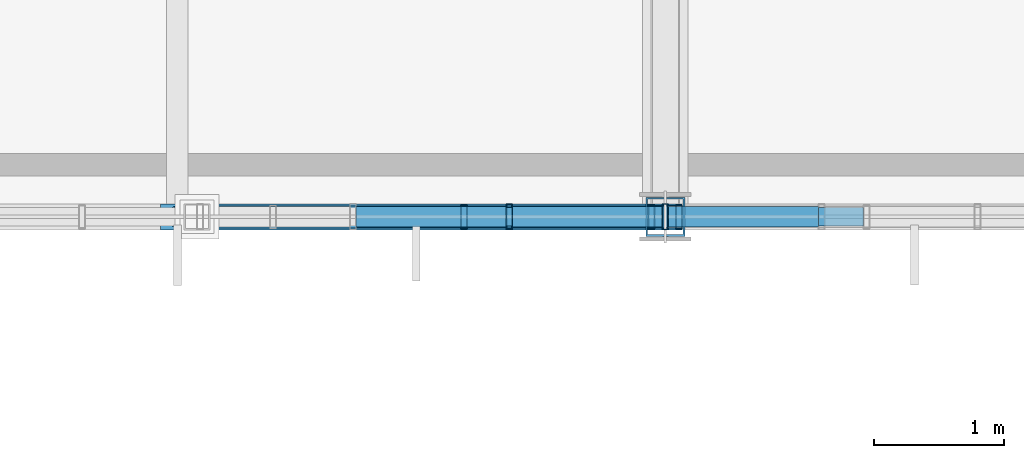
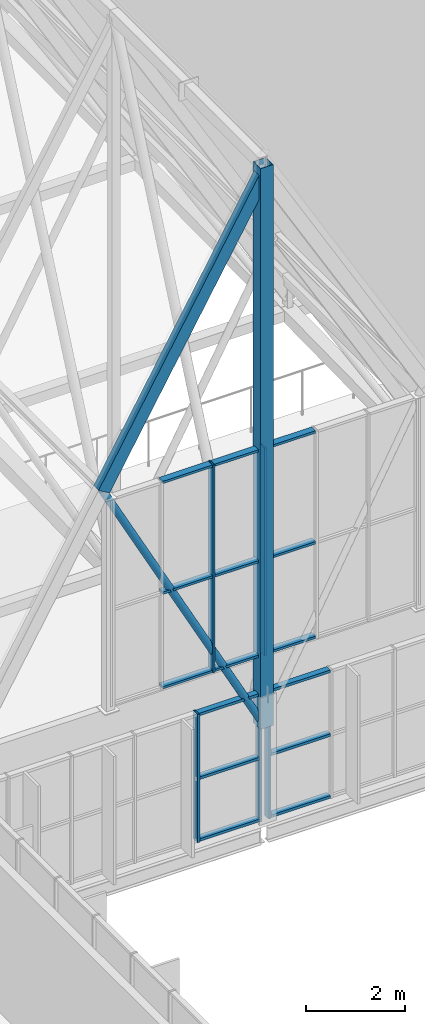
# One storey, part 98 of 324: 23 members, 3 elements without a shape of their own.
"""IFC4 building model written with IfcOpenShell, lengths in metres."""

from ifc_helpers import new_model, si_unit, direction, frame, origin, origin_2d, place, context, subcontext, project, spatial, hollow_rectangle, hollow_circle, extrude, material, layer, layer_set, material_profile, profile_set, type_object, element, aggregate, save


model = new_model("IFC4")

# Units and contexts
model_context = context("Model", 3, precision=1e-05, world=origin(), true_north=direction((0.0, 1.0)))
body_context = subcontext(model_context, "Body", "Model", "MODEL_VIEW")
ifc_project = project(units=[si_unit("LENGTHUNIT", "METRE"), si_unit("AREAUNIT", "SQUARE_METRE"), si_unit("VOLUMEUNIT", "CUBIC_METRE"), si_unit("PLANEANGLEUNIT", "RADIAN"), si_unit("MASSUNIT", "GRAM", prefix="KILO")], contexts=[model_context])

# Site, building, storey
site_placement = place(None, origin())
site = spatial("IfcSite", under=ifc_project, at=site_placement, CompositionType="ELEMENT")
building_placement = place(site_placement, origin())
building = spatial("IfcBuilding", under=site, at=building_placement, Name="Solvenia Promenade Tram Depot", CompositionType="ELEMENT")
storey_placement = place(building_placement, frame((0.0, 0.0, 4.5)))
storey = spatial("IfcBuildingStorey", under=building, at=storey_placement, Name="L01", CompositionType="ELEMENT", Elevation=4.5)

# Curtain wall, members
ifc_material_1 = material(Name="Anodized aluminium AW-6063 T6", Category="aluminium")
ifc_layer_1 = layer(ifc_material_1, 0.159912109375, Name="Anodized aluminium AW-6063 T6", Category="aluminium")
ifc_layer_set_1 = layer_set([ifc_layer_1], Name="Anodized aluminium AW-6063 T6")
curtain_wall_type_1 = type_object("IfcCurtainWallType", Name="CW-Channel-1500", PredefinedType="NOTDEFINED", material=ifc_layer_set_1)
curtain_wall_1_placement = place(storey_placement, origin())
curtain_wall_1 = element("IfcCurtainWall", 1, at=curtain_wall_1_placement, inside=storey, type_object=curtain_wall_type_1, Name="Curtain Wall CW-V1S1-01", PredefinedType="NOTDEFINED")
ifc_material_profile_1 = material_profile(ifc_material_1, hollow_rectangle(XDim=0.179931640625, YDim=0.050048828125, WallThickness=0.00390625, at=origin_2d()), Name="ALU-M2", Category="aluminium")
ifc_profile_set_1 = profile_set([ifc_material_profile_1], Name="Anodized aluminium AW-6063 T6")
member_type_1 = type_object("IfcMemberType", Name="CWM-Mullion-2", PredefinedType="MULLION", material=ifc_profile_set_1)
member_1_placement = place(storey_placement, frame((50.951904296875, 66.0, 0.0), z_axis=(0.0, 0.0, 1.0), x_axis=(0.0, 1.0, 0.0)))
member_1 = element("IfcMember", 2, at=member_1_placement, type_object=member_type_1, Name="CW-2 mullion 5", PredefinedType="MULLION", context=body_context, shape_type="SweptSolid", body=[
    extrude(hollow_rectangle(XDim=0.179931640625, YDim=0.050048828125, WallThickness=0.00390625, at=origin_2d()), origin(), (0.0, 0.0, 1.0), 3.14990234375),
])
member_2_placement = place(storey_placement, frame((52.39501953125, 66.0, 0.0), z_axis=(0.0, 0.0, 1.0), x_axis=(0.0, 1.0, 0.0)))
member_2 = element("IfcMember", 3, at=member_2_placement, type_object=member_type_1, Name="CW-2 mullion 6", PredefinedType="MULLION", context=body_context, shape_type="SweptSolid", body=[
    extrude(hollow_rectangle(XDim=0.179931640625, YDim=0.050048828125, WallThickness=0.00390625, at=origin_2d()), origin(), (0.0, 0.0, 1.0), 3.14990234375),
])

# Curtain wall, member
curtain_wall_2_placement = place(storey_placement, origin())
curtain_wall_2 = element("IfcCurtainWall", 4, at=curtain_wall_2_placement, inside=storey, type_object=curtain_wall_type_1, Name="Curtain Wall CW-V1S1-02", PredefinedType="NOTDEFINED")
member_3_placement = place(storey_placement, frame((52.60498046875, 66.0, 0.0), z_axis=(0.0, 0.0, 1.0), x_axis=(0.0, 1.0, 0.0)))
member_3 = element("IfcMember", 5, at=member_3_placement, type_object=member_type_1, Name="CW-2 mullion 1", PredefinedType="MULLION", context=body_context, shape_type="SweptSolid", body=[
    extrude(hollow_rectangle(XDim=0.179931640625, YDim=0.050048828125, WallThickness=0.00390625, at=origin_2d()), origin(), (0.0, 0.0, 1.0), 3.14990234375),
])

# Curtain wall, members
ifc_layer_2 = layer(ifc_material_1, 0.14990234375, Name="Anodized aluminium AW-6063 T6", Category="aluminium")
ifc_layer_set_2 = layer_set([ifc_layer_2], Name="Anodized aluminium AW-6063 T6")
curtain_wall_type_2 = type_object("IfcCurtainWallType", Name="CW-Gable-1200", PredefinedType="NOTDEFINED", material=ifc_layer_set_2)
curtain_wall_3_placement = place(storey_placement, origin())
curtain_wall_3 = element("IfcCurtainWall", 6, at=curtain_wall_3_placement, inside=storey, type_object=curtain_wall_type_2, Name="South Zigzag Gable 04 Peak Glazing", PredefinedType="NOTDEFINED")
ifc_material_profile_2 = material_profile(ifc_material_1, hollow_rectangle(XDim=0.199951171875, YDim=0.048095703125, WallThickness=0.00390625, at=origin_2d()), Name="ALU-M3", Category="aluminium")
ifc_profile_set_2 = profile_set([ifc_material_profile_2], Name="Anodized aluminium AW-6063 T6")
member_type_2 = type_object("IfcMemberType", Name="CWM-Mullion-3", PredefinedType="MULLION", material=ifc_profile_set_2)
member_4_placement = place(storey_placement, frame((51.300048828125, 66.0, 4.050048828125), z_axis=(0.0, 0.0, 1.0), x_axis=(0.0, 1.0, 0.0)))
member_4 = element("IfcMember", 7, at=member_4_placement, type_object=member_type_2, Name="CW-3 mullion 3", PredefinedType="MULLION", context=body_context, shape_type="SweptSolid", body=[
    extrude(hollow_rectangle(XDim=0.199951171875, YDim=0.048095703125, WallThickness=0.00390625, at=origin_2d()), origin(), (0.0, 0.0, 1.0), 5.099853515625),
])
member_5_placement = place(storey_placement, frame((52.5, 66.0, 4.050048828125), z_axis=(0.0, 0.0, 1.0), x_axis=(0.0, 1.0, 0.0)))
member_5 = element("IfcMember", 8, at=member_5_placement, type_object=member_type_2, Name="CW-3 mullion 4", PredefinedType="MULLION", context=body_context, shape_type="SweptSolid", body=[
    extrude(hollow_rectangle(XDim=0.199951171875, YDim=0.048095703125, WallThickness=0.00390625, at=origin_2d()), origin(), (0.0, 0.0, 1.0), 5.099853515625),
])

# Member
ifc_material_profile_3 = material_profile(ifc_material_1, hollow_rectangle(XDim=0.139892578125, YDim=0.06494140625, WallThickness=0.00390625, at=origin_2d()), Name="ALU-T2", Category="aluminium")
ifc_profile_set_3 = profile_set([ifc_material_profile_3], Name="Anodized aluminium AW-6063 T6")
member_type_3 = type_object("IfcMemberType", Name="CWT-Transom-2", PredefinedType="USERDEFINED", material=ifc_profile_set_3)
member_6_placement = place(storey_placement, frame((50.97705078125, 66.0, 0.032470703125), z_axis=(1.0, 0.0, 0.0), x_axis=(0.0, 1.0, 0.0)))
member_6 = element("IfcMember", 9, at=member_6_placement, type_object=member_type_3, Name="CW-2 transom 5.1", ObjectType="TRANSOM", PredefinedType="USERDEFINED", context=body_context, shape_type="SweptSolid", body=[
    extrude(hollow_rectangle(XDim=0.139892578125, YDim=0.06494140625, WallThickness=0.00390625, at=origin_2d()), origin(), (0.0, 0.0, 1.0), 1.39306640625),
])

member_7_placement = place(storey_placement, frame((50.97705078125, 66.0, 1.550048828125), z_axis=(1.0, 0.0, 0.0), x_axis=(0.0, 1.0, 0.0)))
member_7 = element("IfcMember", 10, at=member_7_placement, type_object=member_type_3, Name="CW-2 transom 5.2", ObjectType="TRANSOM", PredefinedType="USERDEFINED", context=body_context, shape_type="SweptSolid", body=[
    extrude(hollow_rectangle(XDim=0.139892578125, YDim=0.06494140625, WallThickness=0.00390625, at=origin_2d()), origin(), (0.0, 0.0, 1.0), 1.39306640625),
])

member_8_placement = place(storey_placement, frame((50.97705078125, 66.0, 3.117431640625), z_axis=(1.0, 0.0, 0.0), x_axis=(0.0, 1.0, 0.0)))
member_8 = element("IfcMember", 11, at=member_8_placement, type_object=member_type_3, Name="CW-2 transom 5.3", ObjectType="TRANSOM", PredefinedType="USERDEFINED", context=body_context, shape_type="SweptSolid", body=[
    extrude(hollow_rectangle(XDim=0.139892578125, YDim=0.06494140625, WallThickness=0.00390625, at=origin_2d()), origin(), (0.0, 0.0, 1.0), 1.39306640625),
])

aggregate(curtain_wall_1, [member_1, member_2, member_6, member_7, member_8])

member_9_placement = place(storey_placement, frame((52.6298828125, 66.0, 0.032470703125), z_axis=(1.0, 0.0, 0.0), x_axis=(0.0, 1.0, 0.0)))
member_9 = element("IfcMember", 12, at=member_9_placement, type_object=member_type_3, Name="CW-2 transom 1.1", ObjectType="TRANSOM", PredefinedType="USERDEFINED", context=body_context, shape_type="SweptSolid", body=[
    extrude(hollow_rectangle(XDim=0.139892578125, YDim=0.06494140625, WallThickness=0.00390625, at=origin_2d()), origin(), (0.0, 0.0, 1.0), 1.39306640625),
])

member_10_placement = place(storey_placement, frame((52.6298828125, 66.0, 1.550048828125), z_axis=(1.0, 0.0, 0.0), x_axis=(0.0, 1.0, 0.0)))
member_10 = element("IfcMember", 13, at=member_10_placement, type_object=member_type_3, Name="CW-2 transom 1.2", ObjectType="TRANSOM", PredefinedType="USERDEFINED", context=body_context, shape_type="SweptSolid", body=[
    extrude(hollow_rectangle(XDim=0.139892578125, YDim=0.06494140625, WallThickness=0.00390625, at=origin_2d()), origin(), (0.0, 0.0, 1.0), 1.39306640625),
])

member_11_placement = place(storey_placement, frame((52.6298828125, 66.0, 3.117431640625), z_axis=(1.0, 0.0, 0.0), x_axis=(0.0, 1.0, 0.0)))
member_11 = element("IfcMember", 14, at=member_11_placement, type_object=member_type_3, Name="CW-2 transom 1.3", ObjectType="TRANSOM", PredefinedType="USERDEFINED", context=body_context, shape_type="SweptSolid", body=[
    extrude(hollow_rectangle(XDim=0.139892578125, YDim=0.06494140625, WallThickness=0.00390625, at=origin_2d()), origin(), (0.0, 0.0, 1.0), 1.39306640625),
])

aggregate(curtain_wall_2, [member_3, member_9, member_10, member_11])

ifc_material_profile_4 = material_profile(ifc_material_1, hollow_rectangle(XDim=0.159912109375, YDim=0.05810546875, WallThickness=0.00390625, at=origin_2d()), Name="ALU-T3", Category="aluminium")
ifc_profile_set_4 = profile_set([ifc_material_profile_4], Name="Anodized aluminium AW-6063 T6")
member_type_4 = type_object("IfcMemberType", Name="CWT-Transom-3", PredefinedType="USERDEFINED", material=ifc_profile_set_4)
member_12_placement = place(storey_placement, frame((50.1240234375, 66.0, 4.0791015625), z_axis=(1.0, 0.0, 0.0), x_axis=(0.0, 1.0, 0.0)))
member_12 = element("IfcMember", 15, at=member_12_placement, type_object=member_type_4, Name="CW-3 transom 2.1", ObjectType="TRANSOM", PredefinedType="USERDEFINED", context=body_context, shape_type="SweptSolid", body=[
    extrude(hollow_rectangle(XDim=0.159912109375, YDim=0.05810546875, WallThickness=0.00390625, at=origin_2d()), origin(), (0.0, 0.0, 1.0), 1.15185546875),
])

member_13_placement = place(storey_placement, frame((50.1240234375, 66.0, 6.39990234375), z_axis=(1.0, 0.0, 0.0), x_axis=(0.0, 1.0, 0.0)))
member_13 = element("IfcMember", 16, at=member_13_placement, type_object=member_type_4, Name="CW-3 transom 2.2", ObjectType="TRANSOM", PredefinedType="USERDEFINED", context=body_context, shape_type="SweptSolid", body=[
    extrude(hollow_rectangle(XDim=0.159912109375, YDim=0.05810546875, WallThickness=0.00390625, at=origin_2d()), origin(), (0.0, 0.0, 1.0), 1.15185546875),
])

member_14_placement = place(storey_placement, frame((50.1240234375, 66.0, 9.12109375), z_axis=(1.0, 0.0, 0.0), x_axis=(0.0, 1.0, 0.0)))
member_14 = element("IfcMember", 17, at=member_14_placement, type_object=member_type_4, Name="CW-3 transom 2.3", ObjectType="TRANSOM", PredefinedType="USERDEFINED", context=body_context, shape_type="SweptSolid", body=[
    extrude(hollow_rectangle(XDim=0.159912109375, YDim=0.05810546875, WallThickness=0.00390625, at=origin_2d()), origin(), (0.0, 0.0, 1.0), 1.15185546875),
])

member_15_placement = place(storey_placement, frame((51.323974609375, 66.0, 4.0791015625), z_axis=(1.0, 0.0, 0.0), x_axis=(0.0, 1.0, 0.0)))
member_15 = element("IfcMember", 18, at=member_15_placement, type_object=member_type_4, Name="CW-3 transom 3.1", ObjectType="TRANSOM", PredefinedType="USERDEFINED", context=body_context, shape_type="SweptSolid", body=[
    extrude(hollow_rectangle(XDim=0.159912109375, YDim=0.05810546875, WallThickness=0.00390625, at=origin_2d()), origin(), (0.0, 0.0, 1.0), 1.152099609375),
])

member_16_placement = place(storey_placement, frame((51.323974609375, 66.0, 6.39990234375), z_axis=(1.0, 0.0, 0.0), x_axis=(0.0, 1.0, 0.0)))
member_16 = element("IfcMember", 19, at=member_16_placement, type_object=member_type_4, Name="CW-3 transom 3.2", ObjectType="TRANSOM", PredefinedType="USERDEFINED", context=body_context, shape_type="SweptSolid", body=[
    extrude(hollow_rectangle(XDim=0.159912109375, YDim=0.05810546875, WallThickness=0.00390625, at=origin_2d()), origin(), (0.0, 0.0, 1.0), 1.152099609375),
])

member_17_placement = place(storey_placement, frame((51.323974609375, 66.0, 9.12109375), z_axis=(1.0, 0.0, 0.0), x_axis=(0.0, 1.0, 0.0)))
member_17 = element("IfcMember", 20, at=member_17_placement, type_object=member_type_4, Name="CW-3 transom 3.3", ObjectType="TRANSOM", PredefinedType="USERDEFINED", context=body_context, shape_type="SweptSolid", body=[
    extrude(hollow_rectangle(XDim=0.159912109375, YDim=0.05810546875, WallThickness=0.00390625, at=origin_2d()), origin(), (0.0, 0.0, 1.0), 1.152099609375),
])

member_18_placement = place(storey_placement, frame((52.52392578125, 66.0, 4.0791015625), z_axis=(1.0, 0.0, 0.0), x_axis=(0.0, 1.0, 0.0)))
member_18 = element("IfcMember", 21, at=member_18_placement, type_object=member_type_4, Name="CW-3 transom 4.1", ObjectType="TRANSOM", PredefinedType="USERDEFINED", context=body_context, shape_type="SweptSolid", body=[
    extrude(hollow_rectangle(XDim=0.159912109375, YDim=0.05810546875, WallThickness=0.00390625, at=origin_2d()), origin(), (0.0, 0.0, 1.0), 1.152099609375),
])

member_19_placement = place(storey_placement, frame((52.52392578125, 66.0, 6.39990234375), z_axis=(1.0, 0.0, 0.0), x_axis=(0.0, 1.0, 0.0)))
member_19 = element("IfcMember", 22, at=member_19_placement, type_object=member_type_4, Name="CW-3 transom 4.2", ObjectType="TRANSOM", PredefinedType="USERDEFINED", context=body_context, shape_type="SweptSolid", body=[
    extrude(hollow_rectangle(XDim=0.159912109375, YDim=0.05810546875, WallThickness=0.00390625, at=origin_2d()), origin(), (0.0, 0.0, 1.0), 1.152099609375),
])

member_20_placement = place(storey_placement, frame((52.52392578125, 66.0, 9.12109375), z_axis=(1.0, 0.0, 0.0), x_axis=(0.0, 1.0, 0.0)))
member_20 = element("IfcMember", 23, at=member_20_placement, type_object=member_type_4, Name="CW-3 transom 4.3", ObjectType="TRANSOM", PredefinedType="USERDEFINED", context=body_context, shape_type="SweptSolid", body=[
    extrude(hollow_rectangle(XDim=0.159912109375, YDim=0.05810546875, WallThickness=0.00390625, at=origin_2d()), origin(), (0.0, 0.0, 1.0), 1.152099609375),
])

aggregate(curtain_wall_3, [member_4, member_5, member_12, member_13, member_14, member_15, member_16, member_17, member_18, member_19, member_20])

# Members
ifc_material_2 = material(Name="Structural steel ASTM A500 Gr. C", Category="steel")
ifc_material_profile_5 = material_profile(ifc_material_2, hollow_rectangle(XDim=0.199951171875, YDim=0.300048828125, WallThickness=0.012451171875, at=origin_2d()), Name="HSS300x200x12.5", Category="steel")
ifc_profile_set_5 = profile_set([ifc_material_profile_5], Name="Structural steel ASTM A500 Gr. C")
member_type_5 = type_object("IfcMemberType", Name="Chord-HSS300x200x12", PredefinedType="CHORD", material=ifc_profile_set_5)
member_21_placement = place(storey_placement, frame((48.75, 66.0, 9.39013671875), z_axis=(0.501516268578, 0.0, 0.865148214095), x_axis=(0.0, 1.0, 0.0)))
element("IfcMember", 24, at=member_21_placement, inside=storey, type_object=member_type_5, Name="Zigzag Gable 04 West Upper Rafter", PredefinedType="CHORD", context=body_context, shape_type="SweptSolid", body=[
    extrude(hollow_rectangle(XDim=0.199951171875, YDim=0.300048828125, WallThickness=0.012451171875, at=origin_2d()), origin(), (0.0, 0.0, 1.0), 7.477294921875),
])
ifc_material_profile_6 = material_profile(ifc_material_2, hollow_rectangle(XDim=0.300048828125, YDim=0.300048828125, WallThickness=0.012451171875, at=origin_2d()), Name="HSS300x300x12.5", Category="steel")
ifc_profile_set_6 = profile_set([ifc_material_profile_6], Name="Structural steel ASTM A500 Gr. C")
member_type_6 = type_object("IfcMemberType", Name="Chord-HSS300x300x12", PredefinedType="CHORD", material=ifc_profile_set_6)
member_22_placement = place(storey_placement, frame((52.5, 66.0, 2.320068359375), z_axis=(0.0, 0.0, 1.0), x_axis=(1.0, 0.0, 0.0)))
element("IfcMember", 25, at=member_22_placement, inside=storey, type_object=member_type_6, Name="Arched Truss T08 S End Post", PredefinedType="CHORD", context=body_context, shape_type="SweptSolid", body=[
    extrude(hollow_rectangle(XDim=0.300048828125, YDim=0.300048828125, WallThickness=0.012451171875, at=origin_2d()), origin(), (0.0, 0.0, 1.0), 13.767822265625),
])
ifc_material_profile_7 = material_profile(ifc_material_2, hollow_circle(Radius=0.084228515625, WallThickness=0.008056640625, at=origin_2d()), Name="CHS168.3x8", Category="steel")
ifc_profile_set_7 = profile_set([ifc_material_profile_7], Name="Structural steel ASTM A500 Gr. C")
member_type_7 = type_object("IfcMemberType", Name="WebDiag-CHS168x8", PredefinedType="BRACE", material=ifc_profile_set_7)
member_23_placement = place(storey_placement, frame((52.5, 66.0, 2.320068359375), z_axis=(-0.468572976528, 0.0, 0.883424793442), x_axis=(0.0, -1.0, 0.0)))
element("IfcMember", 26, at=member_23_placement, inside=storey, type_object=member_type_7, Name="Zigzag Gable 04 West Knee Strut", PredefinedType="BRACE", context=body_context, shape_type="SweptSolid", body=[
    extrude(hollow_circle(Radius=0.084228515625, WallThickness=0.008056640625, at=origin_2d()), origin(), (0.0, 0.0, 1.0), 8.0029296875),
])

save(model, "model.ifc")
